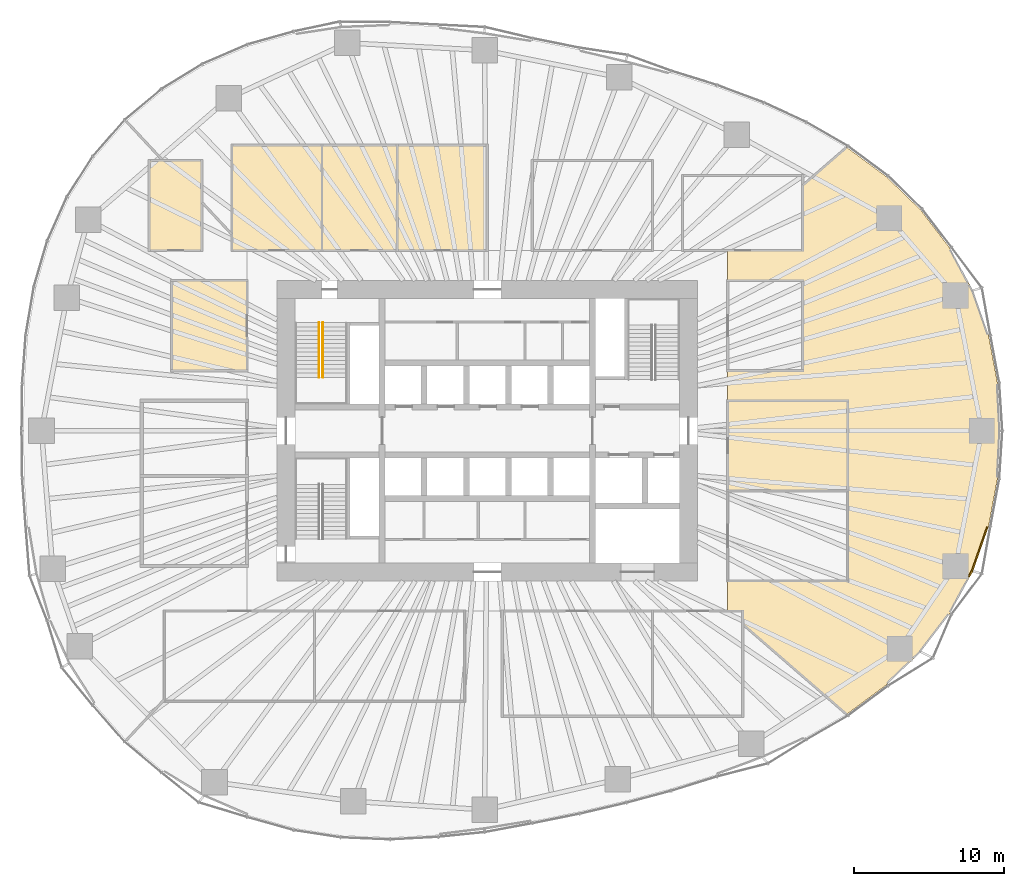
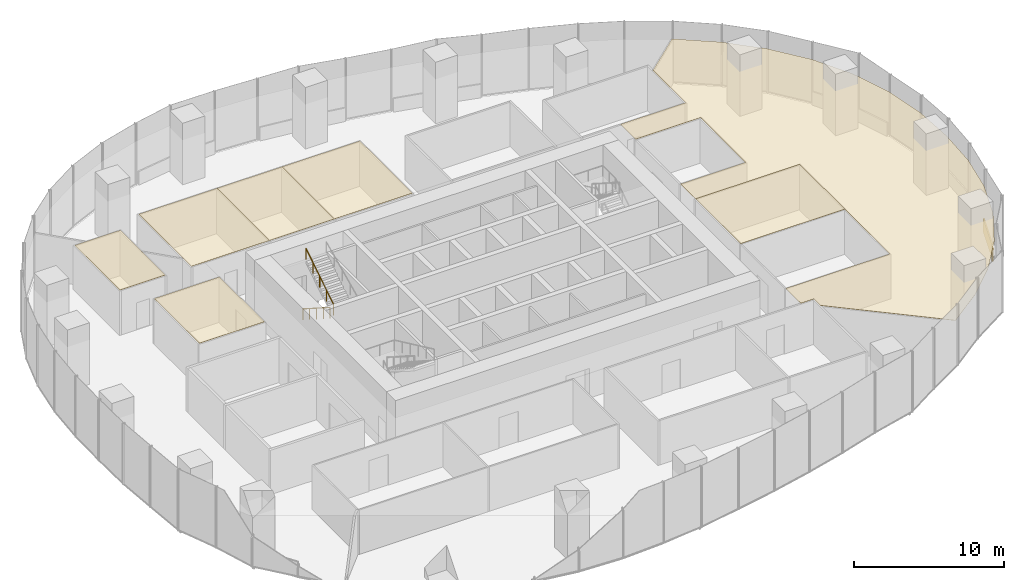
# One storey, part 19 of 20: 9 coverings, 2 railings.
"""IFC4 building model written with IfcOpenShell, lengths in metres."""

import ifcopenshell
import ifcopenshell.guid

model = None  # the IFC model being written
_history = None  # IfcOwnerHistory: only IFC2X3 demands one
_inside = {}  # id of a spatial element -> (the spatial element, [elements in it])
_under = {}  # id of a project, library or spatial element -> (it, [spatial elements below it])
_declared = {}  # id of a project -> (the project, [libraries it declares])
_typed = {}  # id of a type object -> (the type object, [elements of that type])
_made_of = {}  # id of a material, layer set ... -> (it, [elements and type objects made of it])


def new_model(schema):
    """Start an empty IFC model of exactly this schema.

    Asked for "IFC4X3", IfcOpenShell would pick the latest addendum, in which some entities
    have other attributes; the version numbers below select the first issue.
    IFC2X3 requires an IfcOwnerHistory on every rooted entity: one is made here for all.
    """
    global model, _history
    if schema == "IFC4X3":
        model = ifcopenshell.file(schema_version=(4, 3, 0, 0))
    else:
        model = ifcopenshell.file(schema=schema)
    _inside.clear()
    _under.clear()
    _declared.clear()
    _typed.clear()
    _made_of.clear()
    _history = None
    if model.schema == "IFC2X3":
        org = make("IfcOrganization", Name="unknown")
        user = make(
            "IfcPersonAndOrganization",
            ThePerson=make("IfcPerson", FamilyName="unknown"),
            TheOrganization=org,
        )
        app = make(
            "IfcApplication",
            ApplicationDeveloper=org,
            Version="unknown",
            ApplicationFullName="unknown",
            ApplicationIdentifier="unknown",
        )
        _history = make(
            "IfcOwnerHistory",
            OwningUser=user,
            OwningApplication=app,
            ChangeAction="ADDED",
            CreationDate=0,
        )
    return model


def make(cls, **values):
    """One entity of the class cls with the attributes given. An attribute that is None is left unset."""
    return model.create_entity(
        cls, **{name: value for name, value in values.items() if value is not None}
    )


def rooted(cls, **values):
    """An entity with a GlobalId (a new one), such as an element, a storey or a relation."""
    return make(cls, GlobalId=ifcopenshell.guid.new(), OwnerHistory=_history, **values)


def si_unit(unit_type, name, prefix=None):
    """IfcSIUnit, for example si_unit("LENGTHUNIT", "METRE", prefix="MILLI")."""
    return make("IfcSIUnit", UnitType=unit_type, Prefix=prefix, Name=name)


def assignment(units):
    """IfcUnitAssignment: the units of a project."""
    return None if units is None else make("IfcUnitAssignment", Units=units)


def point(xyz):
    """IfcCartesianPoint."""
    return None if xyz is None else make("IfcCartesianPoint", Coordinates=xyz)


def direction(xyz):
    """IfcDirection."""
    return None if xyz is None else make("IfcDirection", DirectionRatios=xyz)


def frame(location, z_axis=None, x_axis=None):
    """IfcAxis2Placement3D, a coordinate frame: its origin and axes. An axis left out is left unset."""
    return make(
        "IfcAxis2Placement3D",
        Location=point(location),
        Axis=direction(z_axis),
        RefDirection=direction(x_axis),
    )


def frame_2d(location, x_axis=None):
    """IfcAxis2Placement2D, a coordinate frame in the plane: its origin and x axis."""
    return make(
        "IfcAxis2Placement2D", Location=point(location), RefDirection=direction(x_axis)
    )


def origin():
    """The frame at (0, 0, 0) with its axes left unset."""
    return frame((0.0, 0.0, 0.0))


def origin_2d():
    """The frame at (0, 0) in the plane with its x axis left unset."""
    return frame_2d((0.0, 0.0))


def place(relative_to, where):
    """IfcLocalPlacement: puts the frame where relative to a parent placement (None: the world)."""
    return make(
        "IfcLocalPlacement", PlacementRelTo=relative_to, RelativePlacement=where
    )


def context(
    kind, dimensions, precision=None, world=None, true_north=None, identifier=None
):
    """IfcGeometricRepresentationContext, for example the 3D "Model" context."""
    return make(
        "IfcGeometricRepresentationContext",
        ContextIdentifier=identifier,
        ContextType=kind,
        CoordinateSpaceDimension=dimensions,
        Precision=precision,
        WorldCoordinateSystem=world,
        TrueNorth=true_north,
    )


def subcontext(parent, identifier, kind, view, scale=None):
    """IfcGeometricRepresentationSubContext, for example "Body" below "Model"."""
    return make(
        "IfcGeometricRepresentationSubContext",
        ContextIdentifier=identifier,
        ContextType=kind,
        ParentContext=parent,
        TargetScale=scale,
        TargetView=view,
    )


def project(units=None, contexts=None):
    """IfcProject with its units and contexts."""
    return rooted(
        "IfcProject",
        Name="project",
        RepresentationContexts=contexts,
        UnitsInContext=assignment(units),
    )


def spatial(cls, under=None, at=None, **own):
    """A site, building, storey or space (cls), placed at a placement, below another one or the project."""
    s = rooted(cls, ObjectPlacement=at, **own)
    if under is not None:
        _under.setdefault(under.id(), (under, []))[1].append(s)
    return s


def polyline(points):
    """IfcPolyline through the points."""
    return make("IfcPolyline", Points=[point(p) for p in points])


def profile(cls, at=None, kind="AREA", **sizes):
    """A parametric profile (cls). Its sizes go by their IFC names, for example OverallWidth=200.0."""
    return make(cls, ProfileType=kind, Position=at, **sizes)


def rectangle(**sizes):
    """IfcRectangleProfileDef."""
    return profile("IfcRectangleProfileDef", **sizes)


def circle(**sizes):
    """IfcCircleProfileDef."""
    return profile("IfcCircleProfileDef", **sizes)


def outline(outer, holes=None, kind="AREA"):
    """IfcArbitraryClosedProfileDef: a profile drawn as a closed curve; with holes, ...WithVoids."""
    if holes is None:
        return make("IfcArbitraryClosedProfileDef", ProfileType=kind, OuterCurve=outer)
    return make(
        "IfcArbitraryProfileDefWithVoids",
        ProfileType=kind,
        OuterCurve=outer,
        InnerCurves=holes,
    )


def extrude(swept, where, along, depth):
    """IfcExtrudedAreaSolid: the profile swept, set in the frame where, extruded along a direction by depth."""
    return make(
        "IfcExtrudedAreaSolid",
        SweptArea=swept,
        Position=where,
        ExtrudedDirection=direction(along),
        Depth=depth,
    )


def shape(context_of_items, identifier, shape_type, items):
    """IfcShapeRepresentation: the items that make up one representation, for example the "Body"."""
    return make(
        "IfcShapeRepresentation",
        ContextOfItems=context_of_items,
        RepresentationIdentifier=identifier,
        RepresentationType=shape_type,
        Items=items,
    )


def material(Name=None, Category=None):
    """IfcMaterial."""
    return make("IfcMaterial", Name=Name, Category=Category)


def layer(
    of_material, thickness, ventilated=None, Name=None, Category=None, Priority=None
):
    """IfcMaterialLayer: one layer of a wall or slab, of a material (None: an air gap)."""
    return make(
        "IfcMaterialLayer",
        Material=of_material,
        LayerThickness=thickness,
        IsVentilated=ventilated,
        Name=Name,
        Category=Category,
        Priority=Priority,
    )


def layer_set(layers, Name=None):
    """IfcMaterialLayerSet."""
    return make("IfcMaterialLayerSet", MaterialLayers=layers, LayerSetName=Name)


def made_of(thing, what):
    """Note that an element or type object is made of a material, layer set ...; save() writes the relation."""
    if what is not None:
        _made_of.setdefault(what.id(), (what, []))[1].append(thing)
    return thing


def type_object(cls, material=None, **own):
    """A type object (cls), such as IfcWallType, which elements share."""
    return made_of(rooted(cls, **own), material)


def element(
    cls,
    number,
    at=None,
    inside=None,
    cuts=None,
    type_object=None,
    material=None,
    context=None,
    identifier="Body",
    shape_type=None,
    held_by="IfcProductDefinitionShape",
    body=None,
    shapes=None,
    **own,
):
    """One element of the class cls, such as IfcWall. Its Tag is "e" and its number.

    at: its placement. inside: the storey or other place that contains it. cuts: it is an
    opening in that element (IfcRelVoidsElement). A single representation is given by context,
    identifier, shape_type and body (its items); several are given by shapes. held_by: the class
    of the entity that holds the representations. save() writes the other relations.
    """
    e = rooted(cls, Tag="e%d" % number, ObjectPlacement=at, **own)
    if body is not None:
        shapes = [shape(context, identifier, shape_type, body)]
    if shapes is not None:
        e.Representation = make(held_by, Representations=shapes)
    if inside is not None:
        _inside.setdefault(inside.id(), (inside, []))[1].append(e)
    if cuts is not None:
        rooted(
            "IfcRelVoidsElement", RelatingBuildingElement=cuts, RelatedOpeningElement=e
        )
    if type_object is not None:
        _typed.setdefault(type_object.id(), (type_object, []))[1].append(e)
    return made_of(e, material)


def aggregate(whole, parts):
    """IfcRelAggregates: a whole, such as a stair, and the parts it consists of."""
    return rooted("IfcRelAggregates", RelatingObject=whole, RelatedObjects=parts)


def save(model, path):
    """Write the relations noted so far, then the file.

    IfcRelAggregates (storeys below a building ...), IfcRelContainedInSpatialStructure (elements
    in a storey), IfcRelDefinesByType, IfcRelAssociatesMaterial and IfcRelDeclares: one each for
    every whole, place, type object, material and project.
    """
    for whole, parts in _under.values():
        aggregate(whole, parts)
    for where, things in _inside.values():
        rooted(
            "IfcRelContainedInSpatialStructure",
            RelatedElements=things,
            RelatingStructure=where,
        )
    for kind, things in _typed.values():
        rooted("IfcRelDefinesByType", RelatedObjects=things, RelatingType=kind)
    for what, things in _made_of.values():
        rooted("IfcRelAssociatesMaterial", RelatedObjects=things, RelatingMaterial=what)
    for by, libraries in _declared.values():
        rooted("IfcRelDeclares", RelatingContext=by, RelatedDefinitions=libraries)
    model.write(path)


model = new_model("IFC4")

# Units and contexts
model_context = context("Model", 3, precision=1e-05, world=origin(), true_north=direction((0.0, 1.0)))
body_context = subcontext(model_context, "Body", "Model", "MODEL_VIEW")
ifc_project = project(units=[si_unit("LENGTHUNIT", "METRE"), si_unit("AREAUNIT", "SQUARE_METRE"), si_unit("VOLUMEUNIT", "CUBIC_METRE"), si_unit("PLANEANGLEUNIT", "RADIAN"), si_unit("MASSUNIT", "GRAM", prefix="KILO")], contexts=[model_context])

# Site, building, storey
site_placement = place(None, origin())
site = spatial("IfcSite", under=ifc_project, at=site_placement, CompositionType="ELEMENT")
building_placement = place(site_placement, origin())
building = spatial("IfcBuilding", under=site, at=building_placement, Name="Ghaith Harvest Tower", CompositionType="ELEMENT")
storey_placement = place(building_placement, frame((0.0, 0.0, 85.0)))
storey = spatial("IfcBuildingStorey", under=building, at=storey_placement, Name="L17", CompositionType="ELEMENT", Elevation=85.0)

# Coverings
ifc_material_1 = material(Name="Mineral fibre ceiling tile", Category="gypsum")
ifc_layer_1 = layer(ifc_material_1, 0.02490234375)
ifc_layer_set_1 = layer_set([ifc_layer_1], Name="CEILING C2")
covering_type_1 = type_object("IfcCoveringType", Name="CEILING C2", PredefinedType="CEILING", material=ifc_layer_set_1)
covering_1_placement = place(storey_placement, frame((0.0, 0.0, 3.60009765625)))
element("IfcCovering", 1, at=covering_1_placement, inside=storey, type_object=covering_type_1, Name="Ceiling L17-06", PredefinedType="CEILING", context=body_context, shape_type="SweptSolid", body=[
    extrude(outline(polyline([(16.0, -4.0), (24.0, -4.0), (24.0, 2.0), (16.0, 2.0), (16.0, -4.0)])), origin(), (0.0, 0.0, 1.0), 0.02490234375),
])
covering_2_placement = place(storey_placement, frame((0.0, 0.0, 3.60009765625)))
element("IfcCovering", 2, at=covering_2_placement, inside=storey, type_object=covering_type_1, Name="Ceiling L17-07", PredefinedType="CEILING", context=body_context, shape_type="SweptSolid", body=[
    extrude(outline(polyline([(-17.0, 12.0), (-11.0, 12.0), (-11.0, 19.0), (-17.0, 19.0), (-17.0, 12.0)])), origin(), (0.0, 0.0, 1.0), 0.02490234375),
])
covering_3_placement = place(storey_placement, frame((0.0, 0.0, 3.60009765625)))
element("IfcCovering", 3, at=covering_3_placement, inside=storey, type_object=covering_type_1, Name="Ceiling L17-08", PredefinedType="CEILING", context=body_context, shape_type="SweptSolid", body=[
    extrude(outline(polyline([(-11.0, 12.0), (-6.0, 12.0), (-6.0, 19.0), (-11.0, 19.0), (-11.0, 12.0)])), origin(), (0.0, 0.0, 1.0), 0.02490234375),
])
covering_4_placement = place(storey_placement, frame((0.0, 0.0, 3.60009765625)))
element("IfcCovering", 4, at=covering_4_placement, inside=storey, type_object=covering_type_1, Name="Ceiling L17-09", PredefinedType="CEILING", context=body_context, shape_type="SweptSolid", body=[
    extrude(outline(polyline([(-6.0, 12.0), (0.0, 12.0), (0.0, 19.0), (-6.0, 19.0), (-6.0, 12.0)])), origin(), (0.0, 0.0, 1.0), 0.02490234375),
])
covering_5_placement = place(storey_placement, frame((0.0, 0.0, 3.60009765625)))
element("IfcCovering", 5, at=covering_5_placement, inside=storey, type_object=covering_type_1, Name="Ceiling L17-14", PredefinedType="CEILING", context=body_context, shape_type="SweptSolid", body=[
    extrude(outline(polyline([(-22.5, 12.0), (-19.0, 12.0), (-19.0, 18.0), (-22.5, 18.0), (-22.5, 12.0)])), origin(), (0.0, 0.0, 1.0), 0.02490234375),
])
covering_6_placement = place(storey_placement, frame((0.0, 0.0, 3.60009765625)))
element("IfcCovering", 6, at=covering_6_placement, inside=storey, type_object=covering_type_1, Name="Ceiling L17-16", PredefinedType="CEILING", context=body_context, shape_type="SweptSolid", body=[
    extrude(outline(polyline([(-21.0, 4.0), (-16.0, 4.0), (-16.0, 10.0), (-21.0, 10.0), (-21.0, 4.0)])), origin(), (0.0, 0.0, 1.0), 0.02490234375),
])
covering_7_placement = place(storey_placement, frame((0.0, 0.0, 3.60009765625)))
element("IfcCovering", 7, at=covering_7_placement, inside=storey, type_object=covering_type_1, Name="Ceiling L17-E1", PredefinedType="CEILING", context=body_context, shape_type="SweptSolid", body=[
    extrude(outline(polyline([(26.572509765625, 16.9111328125), (28.840087890625, 14.708984375), (30.78515625, 12.1708984375), (32.318359375, 9.3408203125), (33.37158203125, 6.333984375), (33.95849609375, 3.194091796875), (34.125, 0.0), (33.95849609375, -3.194091796875), (33.37158203125, -6.333984375), (32.318359375, -9.3408203125), (30.78515625, -12.1708984375), (28.840087890625, -14.708984375), (26.572509765625, -16.9111328125), (23.92431640625, -18.873046875), (17.0, -12.8671875), (17.0, -12.0), (16.0, -12.0), (16.0, -10.0), (24.0, -10.0), (24.0, 2.0), (16.0, 2.0), (16.0, 4.0), (21.0, 4.0), (21.0, 10.0), (16.0, 10.0), (16.0, 12.0), (21.0, 12.0), (21.0, 16.336669921875), (23.92431640625, 18.873046875), (26.572509765625, 16.9111328125)])), origin(), (0.0, 0.0, 1.0), 0.02490234375),
])

# Railings
ifc_material_2 = material(Name="Steel, black powder-coated", Category="steel")
railing_type = type_object("IfcRailingType", Name="HANDRAIL HR1", PredefinedType="HANDRAIL", material=ifc_material_2)
railing_1_placement = place(storey_placement, frame((-11.199951171875, 7.199951171875, 0.178466796875)))
element("IfcRailing", 8, at=railing_1_placement, inside=storey, type_object=railing_type, Name="Handrail HR1 stair ST1 L17 flight 1 inner", PredefinedType="HANDRAIL", context=body_context, shape_type="SweptSolid", body=[
    extrude(circle(Radius=0.02392578125, at=origin_2d()), frame((0.0, 0.0, 0.8759765625), z_axis=(0.0, -0.843111507901, 0.53773877045), x_axis=(1.0, 0.0, 0.0)), (0.0, 0.0, 1.0), 4.317138671875),
    extrude(circle(Radius=0.02099609375, at=origin_2d()), origin(), (0.0, 0.0, 1.0), 0.851806640625),
    extrude(circle(Radius=0.02099609375, at=origin_2d()), frame((0.0, -0.909912109375, 0.580322265625)), (0.0, 0.0, 1.0), 0.851806640625),
    extrude(circle(Radius=0.02099609375, at=origin_2d()), frame((0.0, -1.81982421875, 1.16064453125)), (0.0, 0.0, 1.0), 0.851806640625),
    extrude(circle(Radius=0.02099609375, at=origin_2d()), frame((0.0, -2.72998046875, 1.7412109375)), (0.0, 0.0, 1.0), 0.851806640625),
    extrude(circle(Radius=0.02099609375, at=origin_2d()), frame((0.0, -3.639892578125, 2.321533203125)), (0.0, 0.0, 1.0), 0.851806640625),
])
railing_2_placement = place(storey_placement, frame((-10.949951171875, 3.56005859375, 2.678466796875)))
element("IfcRailing", 9, at=railing_2_placement, inside=storey, type_object=railing_type, Name="Handrail HR1 stair ST1 L17 flight 2 inner", PredefinedType="HANDRAIL", context=body_context, shape_type="SweptSolid", body=[
    extrude(circle(Radius=0.02392578125, at=origin_2d()), frame((0.0, 0.0, 0.8759765625), z_axis=(0.0, 0.843111507901, 0.53773877045), x_axis=(-1.0, 0.0, 0.0)), (0.0, 0.0, 1.0), 4.317138671875),
    extrude(circle(Radius=0.02099609375, at=origin_2d()), origin(), (0.0, 0.0, 1.0), 0.851806640625),
    extrude(circle(Radius=0.02099609375, at=origin_2d()), frame((0.0, 0.909912109375, 0.580322265625)), (0.0, 0.0, 1.0), 0.851806640625),
    extrude(circle(Radius=0.02099609375, at=origin_2d()), frame((0.0, 1.81982421875, 1.16064453125)), (0.0, 0.0, 1.0), 0.851806640625),
    extrude(circle(Radius=0.02099609375, at=origin_2d()), frame((0.0, 2.72998046875, 1.7412109375)), (0.0, 0.0, 1.0), 0.851806640625),
    extrude(circle(Radius=0.02099609375, at=origin_2d()), frame((0.0, 3.639892578125, 2.321533203125)), (0.0, 0.0, 1.0), 0.851806640625),
])

# Coverings
ifc_material_3 = material(Name="Insulated aluminium spandrel panel on steel framing", Category="steel")
ifc_layer_2 = layer(ifc_material_3, 0.10009765625)
ifc_layer_set_2 = layer_set([ifc_layer_2], Name="SLAB EDGE UPSTAND 1100x100")
covering_type_2 = type_object("IfcCoveringType", Name="SLAB EDGE UPSTAND 1100x100", PredefinedType="CLADDING", material=ifc_layer_set_2)
covering_8_placement = place(storey_placement, frame((32.172119140625, -9.505615234375, 0.0), z_axis=(0.0, 0.0, 1.0), x_axis=(0.4763492928, 0.879256135178, 0.0)))
element("IfcCovering", 10, at=covering_8_placement, inside=storey, type_object=covering_type_2, Name="Slab edge upstand 3 bay 19 L17", PredefinedType="CLADDING", context=body_context, shape_type="SweptSolid", body=[
    extrude(rectangle(XDim=0.42919921875, YDim=0.10009765625, at=origin_2d()), origin(), (0.0, 0.0, 1.0), 1.10009765625),
])
covering_9_placement = place(storey_placement, frame((32.78125, -7.867919921875, 0.0), z_axis=(0.0, 0.0, 1.0), x_axis=(0.330597697302, 0.943771774604, 0.0)))
element("IfcCovering", 11, at=covering_9_placement, inside=storey, type_object=covering_type_2, Name="Slab edge upstand 1 bay 20 L17", PredefinedType="CLADDING", context=body_context, shape_type="SweptSolid", body=[
    extrude(rectangle(XDim=3.0859375, YDim=0.10009765625, at=origin_2d()), origin(), (0.0, 0.0, 1.0), 1.10009765625),
])

save(model, "model.ifc")
